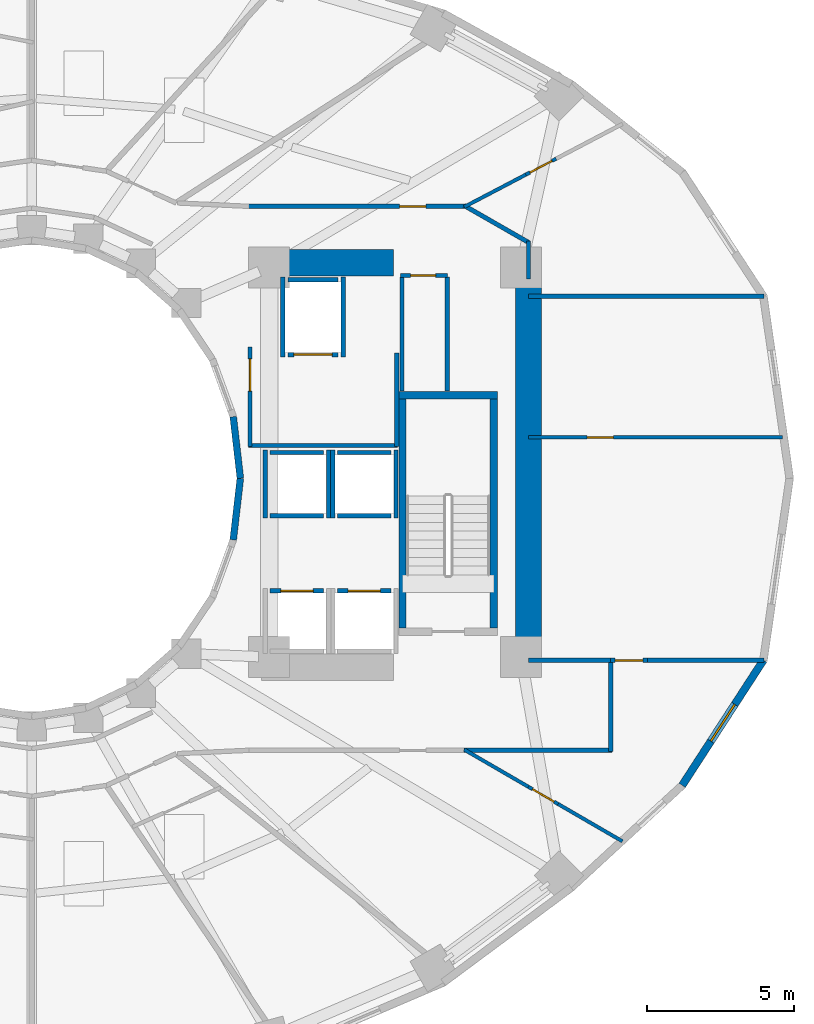
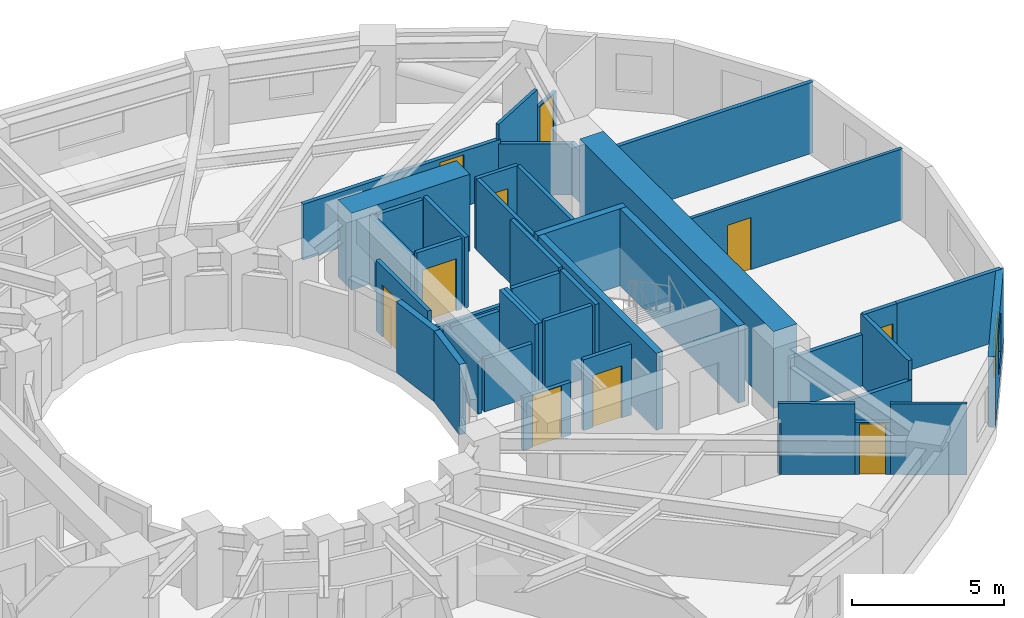
# One storey, part 6 of 9: 43 walls, 10 doors, 1 window, 11 openings.
"""IFC4 building model written with IfcOpenShell, lengths in metres."""

from ifc_helpers import new_model, si_unit, direction, frame, frame_2d, origin, place, context, subcontext, project, spatial, rectangle, extrude, material, layer, layer_set, type_object, element, fill, save


model = new_model("IFC4")

# Units and contexts
model_context = context("Model", 3, precision=1e-05, world=origin(), true_north=direction((0.0, 1.0)))
body_context = subcontext(model_context, "Body", "Model", "MODEL_VIEW")
ifc_project = project(units=[si_unit("LENGTHUNIT", "METRE"), si_unit("AREAUNIT", "SQUARE_METRE"), si_unit("VOLUMEUNIT", "CUBIC_METRE"), si_unit("PLANEANGLEUNIT", "RADIAN"), si_unit("MASSUNIT", "GRAM", prefix="KILO")], contexts=[model_context])

# Site, building, storey
site_placement = place(None, origin())
site = spatial("IfcSite", under=ifc_project, at=site_placement, CompositionType="ELEMENT")
building_placement = place(site_placement, origin())
building = spatial("IfcBuilding", under=site, at=building_placement, Name="Solvane Sanctuary Tower", CompositionType="ELEMENT")
storey_placement = place(building_placement, frame((0.0, 0.0, 55.5)))
storey = spatial("IfcBuildingStorey", under=building, at=storey_placement, Name="L16", CompositionType="ELEMENT", Elevation=55.5)

# Walls
ifc_material_1 = material(Name="Concrete C70/85", Category="concrete")
ifc_layer_1 = layer(ifc_material_1, 0.89990234375, Name="Concrete C70/85")
ifc_layer_set_1 = layer_set([ifc_layer_1], Name="Concrete C70/85")
wall_type_1 = type_object("IfcWallType", Name="Wall W-CORE-900", PredefinedType="SHEAR", material=ifc_layer_set_1)
wall_1_placement = place(storey_placement, frame((48.949951171875, 17.050048828125, 0.0), z_axis=(0.0, 0.0, 1.0), x_axis=(0.0, 1.0, 0.0)))
element("IfcWall", 1, at=wall_1_placement, inside=storey, type_object=wall_type_1, Name="L16 Core Shear Wall EC-E", PredefinedType="SHEAR", context=body_context, shape_type="SweptSolid", body=[
    extrude(rectangle(XDim=12.800048828125, YDim=0.89990234375, at=frame_2d((6.39990234375, 0.0))), origin(), (0.0, 0.0, 1.0), 3.10009765625),
])
wall_2_placement = place(storey_placement, frame((39.85009765625, 30.35009765625, 0.0), z_axis=(0.0, 0.0, 1.0), x_axis=(1.0, 0.0, 0.0)))
element("IfcWall", 2, at=wall_2_placement, inside=storey, type_object=wall_type_1, Name="L16 Core Shear Wall EC-N", PredefinedType="SHEAR", context=body_context, shape_type="SweptSolid", body=[
    extrude(rectangle(XDim=4.5, YDim=0.89990234375, at=frame_2d((2.25, 0.0))), origin(), (0.0, 0.0, 1.0), 3.10009765625),
])
ifc_material_2 = material(Name="Acoustic Gypsum Partition Board")
ifc_layer_2 = layer(ifc_material_2, 0.14990234375, Name="Acoustic Gypsum Partition Board")
ifc_layer_set_2 = layer_set([ifc_layer_2], Name="Acoustic Gypsum Partition Board")
wall_type_2 = type_object("IfcWallType", Name="Wall W-CORR-150", PredefinedType="PARTITIONING", material=ifc_layer_set_2)
wall_3_placement = place(storey_placement, frame((39.39990234375, 24.1201171875, 0.0), z_axis=(0.0, 0.0, 1.0), x_axis=(1.0, 0.0, 0.0)))
element("IfcWall", 3, at=wall_3_placement, inside=storey, type_object=wall_type_2, Name="L16 East Firefighting Lobby South Wall", PredefinedType="PARTITIONING", context=body_context, shape_type="SweptSolid", body=[
    extrude(rectangle(XDim=5.080078125, YDim=0.14990234375, at=frame_2d((2.5400390625, 0.0))), origin(), (0.0, 0.0, 1.0), 2.1201171875),
])
wall_4_placement = place(storey_placement, frame((44.449951171875, 24.080078125, 0.0), z_axis=(0.0, 0.0, 1.0), x_axis=(0.0, 1.0, 0.0)))
element("IfcWall", 4, at=wall_4_placement, inside=storey, type_object=wall_type_2, Name="L16 East Firefighting Lobby East Wall", PredefinedType="PARTITIONING", context=body_context, shape_type="SweptSolid", body=[
    extrude(rectangle(XDim=3.199951171875, YDim=0.14990234375, at=frame_2d((1.60009765625, 0.0))), origin(), (0.0, 0.0, 1.0), 2.85498046875),
])

# Wall, opening, door
wall_5_placement = place(storey_placement, frame((39.449951171875, 24.080078125, 0.0), z_axis=(0.0, 0.0, 1.0), x_axis=(0.0, 1.0, 0.0)))
wall_5 = element("IfcWall", 5, at=wall_5_placement, inside=storey, type_object=wall_type_2, Name="L16 East Firefighting Lobby West Wall", PredefinedType="PARTITIONING", context=body_context, shape_type="SweptSolid", body=[
    extrude(rectangle(XDim=3.39990234375, YDim=0.14990234375, at=frame_2d((1.699951171875, 0.0))), origin(), (0.0, 0.0, 1.0), 2.85498046875),
])
opening_1_placement = place(wall_5_placement, frame((1.893798828125, 0.0, 0.0)))
opening_1 = element("IfcOpeningElement", 6, at=opening_1_placement, cuts=wall_5, Name="Opening D-L16-05", PredefinedType="OPENING", context=body_context, shape_type="SweptSolid", body=[
    extrude(rectangle(XDim=1.10009765625, YDim=2.10009765625, at=frame_2d((0.550048828125, 1.050048828125))), frame((0.0, 0.0849609375, 0.0), z_axis=(0.0, -1.0, 0.0), x_axis=(1.0, 0.0, 0.0)), (0.0, 0.0, 1.0), 0.169921875),
])
ifc_material_3 = material(Name="Architectural Stainless Steel 316", Category="steel")
door_type_1 = type_object("IfcDoorType", Name="Door D-FFL", OperationType="NOTDEFINED", PredefinedType="DOOR", material=ifc_material_3)
door_1_placement = place(opening_1_placement, origin())
door_1 = element("IfcDoor", 7, at=door_1_placement, inside=storey, type_object=door_type_1, Name="L16 East Firefighting Lobby Fire Door", OperationType="SINGLE_SWING_LEFT", OverallHeight=2.10009765625, OverallWidth=1.10009765625, PredefinedType="DOOR", context=body_context, shape_type="SweptSolid", body=[
    extrude(rectangle(XDim=1.10009765625, YDim=2.10009765625, at=frame_2d((0.550048828125, 1.050048828125))), frame((0.0, 0.02490234375, 0.0), z_axis=(0.0, -1.0, 0.0), x_axis=(1.0, 0.0, 0.0)), (0.0, 0.0, 1.0), 0.050048828125),
])
fill(opening_1, door_1)

# Wall
wall_6_placement = place(storey_placement, frame((48.949951171875, 16.788330078125, 0.0), z_axis=(0.0, 0.0, 1.0), x_axis=(1.0, 0.0, 0.0)))
element("IfcWall", 8, at=wall_6_placement, inside=storey, type_object=wall_type_2, Name="L16 East Shoulder South Wall", PredefinedType="PARTITIONING", context=body_context, shape_type="SweptSolid", body=[
    extrude(rectangle(XDim=2.79296875, YDim=0.14990234375, at=frame_2d((1.396484375, 0.0))), origin(), (0.0, 0.0, 1.0), 2.069091796875),
])

# Wall, opening, door
wall_7_placement = place(storey_placement, frame((51.742919921875, 16.788330078125, 0.0), z_axis=(0.0, 0.0, 1.0), x_axis=(1.0, 0.0, 0.0)))
wall_7 = element("IfcWall", 9, at=wall_7_placement, inside=storey, type_object=wall_type_2, Name="L16 East Shoulder South Wall", PredefinedType="PARTITIONING", context=body_context, shape_type="SweptSolid", body=[
    extrude(rectangle(XDim=1.27001953125, YDim=0.14990234375, at=frame_2d((0.635009765625, 0.0))), origin(), (0.0, 0.0, 1.0), 2.85498046875),
])
opening_2_placement = place(wall_7_placement, frame((0.159912109375, 0.0, 0.0)))
opening_2 = element("IfcOpeningElement", 10, at=opening_2_placement, cuts=wall_7, Name="Opening D-L16-08", PredefinedType="OPENING", context=body_context, shape_type="SweptSolid", body=[
    extrude(rectangle(XDim=0.949951171875, YDim=2.10009765625, at=frame_2d((0.47509765625, 1.050048828125))), frame((0.0, 0.0849609375, 0.0), z_axis=(0.0, -1.0, 0.0), x_axis=(1.0, 0.0, 0.0)), (0.0, 0.0, 1.0), 0.169921875),
])
ifc_material_4 = material(Name="Engineered Tropical Hardwood", Category="wood")
door_type_2 = type_object("IfcDoorType", Name="Door D-ROOM-950", OperationType="NOTDEFINED", PredefinedType="DOOR", material=ifc_material_4)
door_2_placement = place(opening_2_placement, origin())
door_2 = element("IfcDoor", 11, at=door_2_placement, inside=storey, type_object=door_type_2, Name="L16 East Shoulder South Door", OperationType="SINGLE_SWING_RIGHT", OverallHeight=2.10009765625, OverallWidth=0.949951171875, PredefinedType="DOOR", context=body_context, shape_type="SweptSolid", body=[
    extrude(rectangle(XDim=0.949951171875, YDim=2.10009765625, at=frame_2d((0.47509765625, 1.050048828125))), frame((0.0, 0.02490234375, 0.0), z_axis=(0.0, -1.0, 0.0), x_axis=(1.0, 0.0, 0.0)), (0.0, 0.0, 1.0), 0.050048828125),
])
fill(opening_2, door_2)

# Walls
wall_8_placement = place(storey_placement, frame((53.012939453125, 16.788330078125, 0.0), z_axis=(0.0, 0.0, 1.0), x_axis=(1.0, 0.0, 0.0)))
element("IfcWall", 12, at=wall_8_placement, inside=storey, type_object=wall_type_2, Name="L16 East Shoulder South Wall", PredefinedType="PARTITIONING", context=body_context, shape_type="SweptSolid", body=[
    extrude(rectangle(XDim=3.973388671875, YDim=0.14990234375, at=frame_2d((1.98681640625, 0.0))), origin(), (0.0, 0.0, 1.0), 2.85498046875),
])
wall_9_placement = place(storey_placement, frame((48.949951171875, 29.211669921875, 0.0), z_axis=(0.0, 0.0, 1.0), x_axis=(1.0, 0.0, 0.0)))
element("IfcWall", 13, at=wall_9_placement, inside=storey, type_object=wall_type_2, Name="L16 East Shoulder North Wall", PredefinedType="PARTITIONING", context=body_context, shape_type="SweptSolid", body=[
    extrude(rectangle(XDim=8.036376953125, YDim=0.14990234375, at=frame_2d((4.01806640625, 0.0))), origin(), (0.0, 0.0, 1.0), 2.85498046875),
])
wall_10_placement = place(storey_placement, frame((48.949951171875, 29.800048828125, 0.0), z_axis=(0.0, 0.0, 1.0), x_axis=(0.0, 1.0, 0.0)))
element("IfcWall", 14, at=wall_10_placement, inside=storey, type_object=wall_type_2, Name="L16 NE Corner Closer 1", PredefinedType="PARTITIONING", context=body_context, shape_type="SweptSolid", body=[
    extrude(rectangle(XDim=1.2900390625, YDim=0.14990234375, at=frame_2d((0.64501953125, 0.0))), origin(), (0.0, 0.0, 1.0), 2.069091796875),
])

# Wall, opening, door
wall_11_placement = place(storey_placement, frame((39.330078125, 32.280029296875, 0.0), z_axis=(0.0, 0.0, 1.0), x_axis=(1.0, 0.0, 0.0)))
wall_11 = element("IfcWall", 15, at=wall_11_placement, inside=storey, type_object=wall_type_2, Name="L16 NE Corner Corridor Wall", PredefinedType="PARTITIONING", context=body_context, shape_type="SweptSolid", body=[
    extrude(rectangle(XDim=7.52001953125, YDim=0.14990234375, at=frame_2d((3.760009765625, 0.0))), origin(), (0.0, 0.0, 1.0), 2.237060546875),
])
opening_3_placement = place(wall_11_placement, frame((5.219970703125, 0.0, 0.0)))
opening_3 = element("IfcOpeningElement", 16, at=opening_3_placement, cuts=wall_11, Name="Opening D-L16-12", PredefinedType="OPENING", context=body_context, shape_type="SweptSolid", body=[
    extrude(rectangle(XDim=0.89990234375, YDim=2.10009765625, at=frame_2d((0.449951171875, 1.050048828125))), frame((0.0, 0.0849609375, 0.0), z_axis=(0.0, -1.0, 0.0), x_axis=(1.0, 0.0, 0.0)), (0.0, 0.0, 1.0), 0.169921875),
])
door_type_3 = type_object("IfcDoorType", Name="Door D-WET-900", OperationType="NOTDEFINED", PredefinedType="DOOR", material=ifc_material_4)
door_3_placement = place(opening_3_placement, origin())
door_3 = element("IfcDoor", 17, at=door_3_placement, inside=storey, type_object=door_type_3, Name="L16 NE Corner Salon Door", OperationType="SINGLE_SWING_RIGHT", OverallHeight=2.10009765625, OverallWidth=0.89990234375, PredefinedType="DOOR", context=body_context, shape_type="SweptSolid", body=[
    extrude(rectangle(XDim=0.89990234375, YDim=2.10009765625, at=frame_2d((0.449951171875, 1.050048828125))), frame((0.0, 0.02490234375, 0.0), z_axis=(0.0, -1.0, 0.0), x_axis=(1.0, 0.0, 0.0)), (0.0, 0.0, 1.0), 0.050048828125),
])
fill(opening_3, door_3)

# Walls
wall_12_placement = place(storey_placement, frame((46.756591796875, 32.3046875, 0.0), z_axis=(0.0, 0.0, 1.0), x_axis=(0.867991349648, -0.496579315857, 0.0)))
element("IfcWall", 18, at=wall_12_placement, inside=storey, type_object=wall_type_2, Name="L16 NE Corner Wing Wall", PredefinedType="PARTITIONING", context=body_context, shape_type="SweptSolid", body=[
    extrude(rectangle(XDim=2.56689453125, YDim=0.14990234375, at=frame_2d((1.283447265625, 0.0))), origin(), (0.0, 0.0, 1.0), 2.069091796875),
])
wall_13_placement = place(storey_placement, frame((51.760009765625, 13.679931640625, 0.0), z_axis=(0.0, 0.0, 1.0), x_axis=(0.0, 1.0, 0.0)))
element("IfcWall", 19, at=wall_13_placement, inside=storey, type_object=wall_type_2, Name="L16 SE Corner Closer 1", PredefinedType="PARTITIONING", context=body_context, shape_type="SweptSolid", body=[
    extrude(rectangle(XDim=3.1484375, YDim=0.14990234375, at=frame_2d((1.57421875, 0.0))), origin(), (0.0, 0.0, 1.0), 2.85498046875),
])
wall_14_placement = place(storey_placement, frame((46.75, 13.719970703125, 0.0), z_axis=(0.0, 0.0, 1.0), x_axis=(1.0, 0.0, 0.0)))
element("IfcWall", 20, at=wall_14_placement, inside=storey, type_object=wall_type_2, Name="L16 SE Corner Wing Wall", PredefinedType="PARTITIONING", context=body_context, shape_type="SweptSolid", body=[
    extrude(rectangle(XDim=5.050048828125, YDim=0.14990234375, at=frame_2d((2.52490234375, 0.0))), origin(), (0.0, 0.0, 1.0), 2.069091796875),
])

# Wall, opening, window
ifc_material_5 = material(Name="Precast concrete C40/50", Category="concrete")
ifc_layer_3 = layer(ifc_material_5, 0.260009765625, Name="Precast concrete C40/50")
ifc_layer_set_3 = layer_set([ifc_layer_3], Name="Precast concrete C40/50")
wall_type_3 = type_object("IfcWallType", Name="Wall W-EXT-250", PredefinedType="STANDARD", material=ifc_layer_set_3)
wall_15_placement = place(storey_placement, frame((54.19384765625, 12.5244140625, 0.0), z_axis=(0.0, 0.0, 1.0), x_axis=(0.544578722263, 0.838709732421, 0.0)))
wall_15 = element("IfcWall", 21, at=wall_15_placement, inside=storey, type_object=wall_type_3, Name="L16 Ceramic-Printed Facade Wall 22", PredefinedType="STANDARD", context=body_context, shape_type="SweptSolid", body=[
    extrude(rectangle(XDim=5.091552734375, YDim=0.260009765625, at=frame_2d((2.5458984375, 0.0))), origin(), (0.0, 0.0, 1.0), 2.85009765625),
])
opening_4_placement = place(wall_15_placement, frame((1.795654296875, 0.0, 0.75)))
opening_4 = element("IfcOpeningElement", 22, at=opening_4_placement, cuts=wall_15, Name="Opening WN-OPER-1500", PredefinedType="OPENING", context=body_context, shape_type="SweptSolid", body=[
    extrude(rectangle(XDim=1.5, YDim=1.60009765625, at=frame_2d((0.75, 0.800048828125))), frame((0.0, 0.139892578125, 0.0), z_axis=(0.0, -1.0, 0.0), x_axis=(1.0, 0.0, 0.0)), (0.0, 0.0, 1.0), 0.280029296875),
])
ifc_material_6 = material(Name="Dark Ceramic-Fritted Low-E Glass", Category="glass")
window_type = type_object("IfcWindowType", Name="Window WN-OPER-1500", PartitioningType="SINGLE_PANEL", PredefinedType="WINDOW", material=ifc_material_6)
window_placement = place(opening_4_placement, origin())
window = element("IfcWindow", 23, at=window_placement, inside=storey, type_object=window_type, Name="L16 Operable Facade Window 22", OverallHeight=1.60009765625, OverallWidth=1.5, PartitioningType="SINGLE_PANEL", PredefinedType="WINDOW", context=body_context, shape_type="SweptSolid", body=[
    extrude(rectangle(XDim=1.5, YDim=1.60009765625, at=frame_2d((0.75, 0.800048828125))), frame((0.0, 0.030029296875, 0.0), z_axis=(0.0, -1.0, 0.0), x_axis=(1.0, 0.0, 0.0)), (0.0, 0.0, 1.0), 0.06005859375),
])
fill(opening_4, window)

# Walls
ifc_layer_4 = layer(ifc_material_5, 0.22998046875, Name="Precast concrete C40/50")
ifc_layer_set_4 = layer_set([ifc_layer_4], Name="Precast concrete C40/50")
wall_type_4 = type_object("IfcWallType", Name="Wall W-EXT-SP220", PredefinedType="STANDARD", material=ifc_layer_set_4)
for number, where, z_axis, x_axis, name in (
    (24, (39.1201171875, 23.0, 0.0), (0.0, 0.0, 1.0), (-0.114711713601, 0.993398823617, 0.0), "L16 Central Light-Well Wall 00"),
    (25, (38.87744140625, 20.8984375, 0.0), (0.0, 0.0, 1.0), (0.114711713601, 0.993398823617, 0.0), "L16 Central Light-Well Wall 23"),
):
    element("IfcWall", number, at=place(storey_placement, frame(where, z_axis=z_axis, x_axis=x_axis)), inside=storey, type_object=wall_type_4, Name=name, PredefinedType="STANDARD", context=body_context, shape_type="SweptSolid", body=[
        extrude(rectangle(XDim=2.115478515625, YDim=0.22998046875, at=frame_2d((1.0576171875, 0.0))), origin(), (0.0, 0.0, 1.0), 2.840087890625),
    ])

# Wall, opening, door
ifc_layer_5 = layer(ifc_material_2, 0.1201171875, Name="Acoustic Gypsum Partition Board")
ifc_layer_set_5 = layer_set([ifc_layer_5], Name="Acoustic Gypsum Partition Board")
wall_type_5 = type_object("IfcWallType", Name="Wall W-MOV-100", PredefinedType="MOVABLE", material=ifc_layer_set_5)
wall_16_placement = place(storey_placement, frame((48.949951171875, 24.39990234375, 0.0), z_axis=(0.0, 0.0, 1.0), x_axis=(1.0, 0.0, 0.0)))
wall_16 = element("IfcWall", 26, at=wall_16_placement, inside=storey, type_object=wall_type_5, Name="L16 East Suite Partition", PredefinedType="MOVABLE", context=body_context, shape_type="SweptSolid", body=[
    extrude(rectangle(XDim=8.668701171875, YDim=0.1201171875, at=frame_2d((4.33447265625, 0.0))), origin(), (0.0, 0.0, 1.0), 2.85498046875),
])
opening_5_placement = place(wall_16_placement, frame((2.0, 0.0, 0.0)))
opening_5 = element("IfcOpeningElement", 27, at=opening_5_placement, cuts=wall_16, Name="Opening D-L16-09", PredefinedType="OPENING", context=body_context, shape_type="SweptSolid", body=[
    extrude(rectangle(XDim=0.89990234375, YDim=2.10009765625, at=frame_2d((0.449951171875, 1.050048828125))), frame((0.0, 0.070068359375, 0.0), z_axis=(0.0, -1.0, 0.0), x_axis=(1.0, 0.0, 0.0)), (0.0, 0.0, 1.0), 0.14013671875),
])
door_4_placement = place(opening_5_placement, origin())
door_4 = element("IfcDoor", 28, at=door_4_placement, inside=storey, type_object=door_type_3, Name="L16 East Suite Internal Door", OperationType="SINGLE_SWING_LEFT", OverallHeight=2.10009765625, OverallWidth=0.89990234375, PredefinedType="DOOR", context=body_context, shape_type="SweptSolid", body=[
    extrude(rectangle(XDim=0.89990234375, YDim=2.10009765625, at=frame_2d((0.449951171875, 1.050048828125))), frame((0.0, 0.02490234375, 0.0), z_axis=(0.0, -1.0, 0.0), x_axis=(1.0, 0.0, 0.0)), (0.0, 0.0, 1.0), 0.050048828125),
])
fill(opening_5, door_4)

# Wall
wall_17_placement = place(storey_placement, frame((46.755615234375, 32.2568359375, 0.0), z_axis=(0.0, 0.0, 1.0), x_axis=(0.885586030676, 0.464475383924, 0.0)))
element("IfcWall", 29, at=wall_17_placement, inside=storey, type_object=wall_type_5, Name="L16 NE Corner Suite Partition", PredefinedType="MOVABLE", context=body_context, shape_type="SweptSolid", body=[
    extrude(rectangle(XDim=2.375732421875, YDim=0.1201171875, at=frame_2d((1.18798828125, 0.0))), origin(), (0.0, 0.0, 1.0), 2.85498046875),
])

# Wall, opening, door
wall_18_placement = place(storey_placement, frame((48.859619140625, 33.3603515625, 0.0), z_axis=(0.0, 0.0, 1.0), x_axis=(0.885447282698, 0.464739829972, 0.0)))
wall_18 = element("IfcWall", 30, at=wall_18_placement, inside=storey, type_object=wall_type_5, Name="L16 NE Corner Suite Partition", PredefinedType="MOVABLE", context=body_context, shape_type="SweptSolid", body=[
    extrude(rectangle(XDim=1.169921875, YDim=0.1201171875, at=frame_2d((0.5849609375, 0.0))), origin(), (0.0, 0.0, 1.0), 2.110107421875),
])
opening_6_placement = place(wall_18_placement, frame((0.159912109375, 0.0, 0.0)))
opening_6 = element("IfcOpeningElement", 31, at=opening_6_placement, cuts=wall_18, Name="Opening D-L16-11", PredefinedType="OPENING", context=body_context, shape_type="SweptSolid", body=[
    extrude(rectangle(XDim=0.85009765625, YDim=2.050048828125, at=frame_2d((0.425048828125, 1.02490234375))), frame((0.0, 0.070068359375, 0.0), z_axis=(0.0, -1.0, 0.0), x_axis=(1.0, 0.0, 0.0)), (0.0, 0.0, 1.0), 0.14013671875),
])
door_type_4 = type_object("IfcDoorType", Name="Door D-RISER", OperationType="NOTDEFINED", PredefinedType="DOOR", material=ifc_material_3)
door_5_placement = place(opening_6_placement, origin())
door_5 = element("IfcDoor", 32, at=door_5_placement, inside=storey, type_object=door_type_4, Name="L16 NE Corner Suite Door", OperationType="SINGLE_SWING_LEFT", OverallHeight=2.050048828125, OverallWidth=0.85009765625, PredefinedType="DOOR", context=body_context, shape_type="SweptSolid", body=[
    extrude(rectangle(XDim=0.85009765625, YDim=2.050048828125, at=frame_2d((0.425048828125, 1.02490234375))), frame((0.0, 0.02490234375, 0.0), z_axis=(0.0, -1.0, 0.0), x_axis=(1.0, 0.0, 0.0)), (0.0, 0.0, 1.0), 0.050048828125),
])
fill(opening_6, door_5)

# Wall
wall_19_placement = place(storey_placement, frame((46.756591796875, 13.7451171875, 0.0), z_axis=(0.0, 0.0, 1.0), x_axis=(0.865085506202, -0.501624428193, 0.0)))
element("IfcWall", 33, at=wall_19_placement, inside=storey, type_object=wall_type_5, Name="L16 SE Corner Suite Partition", PredefinedType="MOVABLE", context=body_context, shape_type="SweptSolid", body=[
    extrude(rectangle(XDim=2.53564453125, YDim=0.1201171875, at=frame_2d((1.267822265625, 0.0))), origin(), (0.0, 0.0, 1.0), 2.85498046875),
])

# Wall, opening, door
wall_20_placement = place(storey_placement, frame((48.9501953125, 12.47314453125, 0.0), z_axis=(0.0, 0.0, 1.0), x_axis=(0.865092761915, -0.501611915013, 0.0)))
wall_20 = element("IfcWall", 34, at=wall_20_placement, inside=storey, type_object=wall_type_5, Name="L16 SE Corner Suite Partition", PredefinedType="MOVABLE", context=body_context, shape_type="SweptSolid", body=[
    extrude(rectangle(XDim=1.170166015625, YDim=0.1201171875, at=frame_2d((0.5849609375, 0.0))), origin(), (0.0, 0.0, 1.0), 2.110107421875),
])
opening_7_placement = place(wall_20_placement, frame((0.159912109375, 0.0, 0.0)))
opening_7 = element("IfcOpeningElement", 35, at=opening_7_placement, cuts=wall_20, Name="Opening D-L16-16", PredefinedType="OPENING", context=body_context, shape_type="SweptSolid", body=[
    extrude(rectangle(XDim=0.85009765625, YDim=2.050048828125, at=frame_2d((0.425048828125, 1.02490234375))), frame((0.0, 0.070068359375, 0.0), z_axis=(0.0, -1.0, 0.0), x_axis=(1.0, 0.0, 0.0)), (0.0, 0.0, 1.0), 0.14013671875),
])
door_6_placement = place(opening_7_placement, origin())
door_6 = element("IfcDoor", 36, at=door_6_placement, inside=storey, type_object=door_type_4, Name="L16 SE Corner Suite Door", OperationType="SINGLE_SWING_RIGHT", OverallHeight=2.050048828125, OverallWidth=0.85009765625, PredefinedType="DOOR", context=body_context, shape_type="SweptSolid", body=[
    extrude(rectangle(XDim=0.85009765625, YDim=2.050048828125, at=frame_2d((0.425048828125, 1.02490234375))), frame((0.0, 0.02490234375, 0.0), z_axis=(0.0, -1.0, 0.0), x_axis=(1.0, 0.0, 0.0)), (0.0, 0.0, 1.0), 0.050048828125),
])
fill(opening_7, door_6)

# Wall
wall_21_placement = place(storey_placement, frame((49.96240234375, 11.88623046875, 0.0), z_axis=(0.0, 0.0, 1.0), x_axis=(0.865085506202, -0.501624428193, 0.0)))
element("IfcWall", 37, at=wall_21_placement, inside=storey, type_object=wall_type_5, Name="L16 SE Corner Suite Partition", PredefinedType="MOVABLE", context=body_context, shape_type="SweptSolid", body=[
    extrude(rectangle(XDim=2.53564453125, YDim=0.1201171875, at=frame_2d((1.267822265625, 0.0))), origin(), (0.0, 0.0, 1.0), 2.85498046875),
])

# Wall, opening, door
ifc_material_7 = material(Name="Concrete C50/60", Category="concrete")
ifc_layer_6 = layer(ifc_material_7, 0.14990234375, Name="Concrete C50/60")
ifc_layer_set_6 = layer_set([ifc_layer_6], Name="Concrete C50/60")
wall_type_6 = type_object("IfcWallType", Name="Wall W-SHAFT-150", PredefinedType="SOLIDWALL", material=ifc_layer_set_6)
wall_22_placement = place(storey_placement, frame((40.139892578125, 19.159912109375, 0.0), z_axis=(0.0, 0.0, 1.0), x_axis=(1.0, 0.0, 0.0)))
wall_22 = element("IfcWall", 38, at=wall_22_placement, inside=storey, type_object=wall_type_6, Name="L16 PL-3 Lift Shaft Wall F", PredefinedType="SOLIDWALL", context=body_context, shape_type="SweptSolid", body=[
    extrude(rectangle(XDim=1.820068359375, YDim=0.14990234375, at=frame_2d((0.91015625, 0.0))), origin(), (0.0, 0.0, 1.0), 2.1201171875),
])
opening_8_placement = place(wall_22_placement, frame((0.360107421875, 0.0, 0.0)))
opening_8 = element("IfcOpeningElement", 39, at=opening_8_placement, cuts=wall_22, Name="Opening LD-L16-03", PredefinedType="OPENING", context=body_context, shape_type="SweptSolid", body=[
    extrude(rectangle(XDim=1.10009765625, YDim=2.10009765625, at=frame_2d((0.550048828125, 1.050048828125))), frame((0.0, 0.0849609375, 0.0), z_axis=(0.0, -1.0, 0.0), x_axis=(1.0, 0.0, 0.0)), (0.0, 0.0, 1.0), 0.169921875),
])
door_type_5 = type_object("IfcDoorType", Name="Door LD-PASS-1100", OperationType="NOTDEFINED", PredefinedType="DOOR", material=ifc_material_3)
door_7_placement = place(opening_8_placement, origin())
door_7 = element("IfcDoor", 40, at=door_7_placement, inside=storey, type_object=door_type_5, Name="L16 PL-3 Lift Landing Door", OperationType="DOUBLE_DOOR_SLIDING", OverallHeight=2.10009765625, OverallWidth=1.10009765625, PredefinedType="DOOR", context=body_context, shape_type="SweptSolid", body=[
    extrude(rectangle(XDim=1.10009765625, YDim=2.10009765625, at=frame_2d((0.550048828125, 1.050048828125))), frame((0.0, 0.02490234375, 0.0), z_axis=(0.0, -1.0, 0.0), x_axis=(1.0, 0.0, 0.0)), (0.0, 0.0, 1.0), 0.050048828125),
])
fill(opening_8, door_7)

wall_23_placement = place(storey_placement, frame((42.43994140625, 19.159912109375, 0.0), z_axis=(0.0, 0.0, 1.0), x_axis=(1.0, 0.0, 0.0)))
wall_23 = element("IfcWall", 41, at=wall_23_placement, inside=storey, type_object=wall_type_6, Name="L16 PL-4 Lift Shaft Wall F", PredefinedType="SOLIDWALL", context=body_context, shape_type="SweptSolid", body=[
    extrude(rectangle(XDim=1.820068359375, YDim=0.14990234375, at=frame_2d((0.91015625, 0.0))), origin(), (0.0, 0.0, 1.0), 2.85498046875),
])
opening_9_placement = place(wall_23_placement, frame((0.360107421875, 0.0, 0.0)))
opening_9 = element("IfcOpeningElement", 42, at=opening_9_placement, cuts=wall_23, Name="Opening LD-L16-04", PredefinedType="OPENING", context=body_context, shape_type="SweptSolid", body=[
    extrude(rectangle(XDim=1.10009765625, YDim=2.10009765625, at=frame_2d((0.550048828125, 1.050048828125))), frame((0.0, 0.0849609375, 0.0), z_axis=(0.0, -1.0, 0.0), x_axis=(1.0, 0.0, 0.0)), (0.0, 0.0, 1.0), 0.169921875),
])
door_8_placement = place(opening_9_placement, origin())
door_8 = element("IfcDoor", 43, at=door_8_placement, inside=storey, type_object=door_type_5, Name="L16 PL-4 Lift Landing Door", OperationType="DOUBLE_DOOR_SLIDING", OverallHeight=2.10009765625, OverallWidth=1.10009765625, PredefinedType="DOOR", context=body_context, shape_type="SweptSolid", body=[
    extrude(rectangle(XDim=1.10009765625, YDim=2.10009765625, at=frame_2d((0.550048828125, 1.050048828125))), frame((0.0, 0.02490234375, 0.0), z_axis=(0.0, -1.0, 0.0), x_axis=(1.0, 0.0, 0.0)), (0.0, 0.0, 1.0), 0.050048828125),
])
fill(opening_9, door_8)

# Walls
for number, where, z_axis, x_axis, name in (
    (44, (42.43994140625, 21.719970703125, 0.0), (0.0, 0.0, 1.0), (1.0, 0.0, 0.0), "L16 PM-2 Lift Shaft Wall F"),
    (45, (42.43994140625, 23.8798828125, 0.0), (0.0, 0.0, 1.0), (1.0, 0.0, 0.0), "L16 PM-2 Lift Shaft Wall B"),
):
    element("IfcWall", number, at=place(storey_placement, frame(where, z_axis=z_axis, x_axis=x_axis)), inside=storey, type_object=wall_type_6, Name=name, PredefinedType="SOLIDWALL", context=body_context, shape_type="SweptSolid", body=[
        extrude(rectangle(XDim=1.820068359375, YDim=0.14990234375, at=frame_2d((0.91015625, 0.0))), origin(), (0.0, 0.0, 1.0), 2.85498046875),
    ])
for number, where, z_axis, x_axis, name in (
    (46, (42.27001953125, 21.639892578125, 0.0), (0.0, 0.0, 1.0), (0.0, 1.0, 0.0), "L16 PM-2 Lift Shaft Wall S1"),
    (47, (44.429931640625, 21.639892578125, 0.0), (0.0, 0.0, 1.0), (0.0, 1.0, 0.0), "L16 PM-2 Lift Shaft Wall S2"),
):
    element("IfcWall", number, at=place(storey_placement, frame(where, z_axis=z_axis, x_axis=x_axis)), inside=storey, type_object=wall_type_6, Name=name, PredefinedType="SOLIDWALL", context=body_context, shape_type="SweptSolid", body=[
        extrude(rectangle(XDim=2.320068359375, YDim=0.14990234375, at=frame_2d((1.16015625, 0.0))), origin(), (0.0, 0.0, 1.0), 2.85498046875),
    ])
for number, where, z_axis, x_axis, name in (
    (48, (40.139892578125, 21.719970703125, 0.0), (0.0, 0.0, 1.0), (1.0, 0.0, 0.0), "L16 PH-2 Lift Shaft Wall F"),
    (49, (40.139892578125, 23.8798828125, 0.0), (0.0, 0.0, 1.0), (1.0, 0.0, 0.0), "L16 PH-2 Lift Shaft Wall B"),
):
    element("IfcWall", number, at=place(storey_placement, frame(where, z_axis=z_axis, x_axis=x_axis)), inside=storey, type_object=wall_type_6, Name=name, PredefinedType="SOLIDWALL", context=body_context, shape_type="SweptSolid", body=[
        extrude(rectangle(XDim=1.820068359375, YDim=0.14990234375, at=frame_2d((0.91015625, 0.0))), origin(), (0.0, 0.0, 1.0), 2.1201171875),
    ])
wall_24_placement = place(storey_placement, frame((39.969970703125, 21.639892578125, 0.0), z_axis=(0.0, 0.0, 1.0), x_axis=(0.0, 1.0, 0.0)))
element("IfcWall", 50, at=wall_24_placement, inside=storey, type_object=wall_type_6, Name="L16 PH-2 Lift Shaft Wall S1", PredefinedType="SOLIDWALL", context=body_context, shape_type="SweptSolid", body=[
    extrude(rectangle(XDim=2.320068359375, YDim=0.14990234375, at=frame_2d((1.16015625, 0.0))), origin(), (0.0, 0.0, 1.0), 2.1201171875),
])
wall_25_placement = place(storey_placement, frame((42.1298828125, 21.639892578125, 0.0), z_axis=(0.0, 0.0, 1.0), x_axis=(0.0, 1.0, 0.0)))
element("IfcWall", 51, at=wall_25_placement, inside=storey, type_object=wall_type_6, Name="L16 PH-2 Lift Shaft Wall S2", PredefinedType="SOLIDWALL", context=body_context, shape_type="SweptSolid", body=[
    extrude(rectangle(XDim=2.320068359375, YDim=0.14990234375, at=frame_2d((1.16015625, 0.0))), origin(), (0.0, 0.0, 1.0), 2.85498046875),
])

# Wall, opening, door
wall_26_placement = place(storey_placement, frame((40.739990234375, 27.219970703125, 0.0), z_axis=(0.0, 0.0, 1.0), x_axis=(1.0, 0.0, 0.0)))
wall_26 = element("IfcWall", 52, at=wall_26_placement, inside=storey, type_object=wall_type_6, Name="L16 FFL-2 Lift Shaft Wall F", PredefinedType="SOLIDWALL", context=body_context, shape_type="SweptSolid", body=[
    extrude(rectangle(XDim=1.719970703125, YDim=0.14990234375, at=frame_2d((0.85986328125, 0.0))), origin(), (0.0, 0.0, 1.0), 2.85498046875),
])
opening_10_placement = place(wall_26_placement, frame((0.2099609375, 0.0, 0.0)))
opening_10 = element("IfcOpeningElement", 53, at=opening_10_placement, cuts=wall_26, Name="Opening LD-L16-07", PredefinedType="OPENING", context=body_context, shape_type="SweptSolid", body=[
    extrude(rectangle(XDim=1.300048828125, YDim=2.10009765625, at=frame_2d((0.64990234375, 1.050048828125))), frame((0.0, 0.0849609375, 0.0), z_axis=(0.0, -1.0, 0.0), x_axis=(1.0, 0.0, 0.0)), (0.0, 0.0, 1.0), 0.169921875),
])
door_type_6 = type_object("IfcDoorType", Name="Door LD-FFL-1300", OperationType="NOTDEFINED", PredefinedType="DOOR", material=ifc_material_3)
door_9_placement = place(opening_10_placement, origin())
door_9 = element("IfcDoor", 54, at=door_9_placement, inside=storey, type_object=door_type_6, Name="L16 FFL-2 Lift Landing Door", OperationType="DOUBLE_DOOR_SLIDING", OverallHeight=2.10009765625, OverallWidth=1.300048828125, PredefinedType="DOOR", context=body_context, shape_type="SweptSolid", body=[
    extrude(rectangle(XDim=1.300048828125, YDim=2.10009765625, at=frame_2d((0.64990234375, 1.050048828125))), frame((0.0, 0.02490234375, 0.0), z_axis=(0.0, -1.0, 0.0), x_axis=(1.0, 0.0, 0.0)), (0.0, 0.0, 1.0), 0.050048828125),
])
fill(opening_10, door_9)

# Walls
wall_27_placement = place(storey_placement, frame((40.739990234375, 29.780029296875, 0.0), z_axis=(0.0, 0.0, 1.0), x_axis=(1.0, 0.0, 0.0)))
element("IfcWall", 55, at=wall_27_placement, inside=storey, type_object=wall_type_6, Name="L16 FFL-2 Lift Shaft Wall B", PredefinedType="SOLIDWALL", context=body_context, shape_type="SweptSolid", body=[
    extrude(rectangle(XDim=1.719970703125, YDim=0.14990234375, at=frame_2d((0.85986328125, 0.0))), origin(), (0.0, 0.0, 1.0), 2.85498046875),
])
for number, where, z_axis, x_axis, name in (
    (56, (40.570068359375, 27.139892578125, 0.0), (0.0, 0.0, 1.0), (0.0, 1.0, 0.0), "L16 FFL-2 Lift Shaft Wall S1"),
    (57, (42.6298828125, 27.139892578125, 0.0), (0.0, 0.0, 1.0), (0.0, 1.0, 0.0), "L16 FFL-2 Lift Shaft Wall S2"),
):
    element("IfcWall", number, at=place(storey_placement, frame(where, z_axis=z_axis, x_axis=x_axis)), inside=storey, type_object=wall_type_6, Name=name, PredefinedType="SOLIDWALL", context=body_context, shape_type="SweptSolid", body=[
        extrude(rectangle(XDim=2.72021484375, YDim=0.14990234375, at=frame_2d((1.360107421875, 0.0))), origin(), (0.0, 0.0, 1.0), 2.85498046875),
    ])
ifc_layer_7 = layer(ifc_material_7, 0.25, Name="Concrete C50/60")
ifc_layer_set_7 = layer_set([ifc_layer_7], Name="Concrete C50/60")
wall_type_7 = type_object("IfcWallType", Name="Wall W-SHAFT-250", PredefinedType="SOLIDWALL", material=ifc_layer_set_7)
wall_28_placement = place(storey_placement, frame((44.52490234375, 25.830078125, 0.0), z_axis=(0.0, 0.0, 1.0), x_axis=(1.0, 0.0, 0.0)))
element("IfcWall", 58, at=wall_28_placement, inside=storey, type_object=wall_type_7, Name="L16 ST-2 Load-Bearing Shaft Wall N", PredefinedType="SOLIDWALL", context=body_context, shape_type="SweptSolid", body=[
    extrude(rectangle(XDim=3.3701171875, YDim=0.25, at=frame_2d((1.68505859375, 0.0))), origin(), (0.0, 0.0, 1.0), 3.10009765625),
])
for number, where, z_axis, x_axis, name in (
    (59, (44.64990234375, 17.89501953125, 0.0), (0.0, 0.0, 1.0), (0.0, 1.0, 0.0), "L16 ST-2 Load-Bearing Shaft Wall W"),
    (60, (47.77001953125, 17.89501953125, 0.0), (0.0, 0.0, 1.0), (0.0, 1.0, 0.0), "L16 ST-2 Load-Bearing Shaft Wall E"),
):
    element("IfcWall", number, at=place(storey_placement, frame(where, z_axis=z_axis, x_axis=x_axis)), inside=storey, type_object=wall_type_7, Name=name, PredefinedType="SOLIDWALL", context=body_context, shape_type="SweptSolid", body=[
        extrude(rectangle(XDim=7.81005859375, YDim=0.25, at=frame_2d((3.905029296875, 0.0))), origin(), (0.0, 0.0, 1.0), 3.10009765625),
    ])

# Wall, opening, door
ifc_layer_8 = layer(ifc_material_2, 0.139892578125, Name="Acoustic Gypsum Partition Board")
ifc_layer_set_8 = layer_set([ifc_layer_8], Name="Acoustic Gypsum Partition Board")
wall_type_8 = type_object("IfcWallType", Name="Wall W-WET-140", PredefinedType="PLUMBINGWALL", material=ifc_layer_set_8)
wall_29_placement = place(storey_placement, frame((44.580078125, 29.919921875, 0.0), z_axis=(0.0, 0.0, 1.0), x_axis=(1.0, 0.0, 0.0)))
wall_29 = element("IfcWall", 61, at=wall_29_placement, inside=storey, type_object=wall_type_8, Name="L16 Core Service Front Wall KE0S", PredefinedType="PLUMBINGWALL", context=body_context, shape_type="SweptSolid", body=[
    extrude(rectangle(XDim=1.599853515625, YDim=0.139892578125, at=frame_2d((0.7998046875, 0.0))), origin(), (0.0, 0.0, 1.0), 2.85498046875),
])
opening_11_placement = place(wall_29_placement, frame((0.35009765625, 0.0, 0.0)))
opening_11 = element("IfcOpeningElement", 62, at=opening_11_placement, cuts=wall_29, Name="Opening D-L16-07", PredefinedType="OPENING", context=body_context, shape_type="SweptSolid", body=[
    extrude(rectangle(XDim=0.85009765625, YDim=2.050048828125, at=frame_2d((0.425048828125, 1.02490234375))), frame((0.0, 0.079833984375, 0.0), z_axis=(0.0, -1.0, 0.0), x_axis=(1.0, 0.0, 0.0)), (0.0, 0.0, 1.0), 0.159912109375),
])
door_10_placement = place(opening_11_placement, origin())
door_10 = element("IfcDoor", 63, at=door_10_placement, inside=storey, type_object=door_type_4, Name="L16 Core Service Room Door KE0S-1", OperationType="SINGLE_SWING_LEFT", OverallHeight=2.050048828125, OverallWidth=0.85009765625, PredefinedType="DOOR", context=body_context, shape_type="SweptSolid", body=[
    extrude(rectangle(XDim=0.85009765625, YDim=2.050048828125, at=frame_2d((0.425048828125, 1.02490234375))), frame((0.0, 0.02490234375, 0.0), z_axis=(0.0, -1.0, 0.0), x_axis=(1.0, 0.0, 0.0)), (0.0, 0.0, 1.0), 0.050048828125),
])
fill(opening_11, door_10)

# Walls
for number, where, z_axis, x_axis, name in (
    (64, (44.639892578125, 25.97998046875, 0.0), (0.0, 0.0, 1.0), (0.0, 1.0, 0.0), "L16 Core Service Side Wall KE0S-1"),
    (65, (46.179931640625, 25.97998046875, 0.0), (0.0, 0.0, 1.0), (0.0, 1.0, 0.0), "L16 Core Service Side Wall KE0S-2"),
):
    element("IfcWall", number, at=place(storey_placement, frame(where, z_axis=z_axis, x_axis=x_axis)), inside=storey, type_object=wall_type_8, Name=name, PredefinedType="PLUMBINGWALL", context=body_context, shape_type="SweptSolid", body=[
        extrude(rectangle(XDim=3.880126953125, YDim=0.139892578125, at=frame_2d((1.93994140625, 0.0))), origin(), (0.0, 0.0, 1.0), 2.85498046875),
    ])

save(model, "model.ifc")
